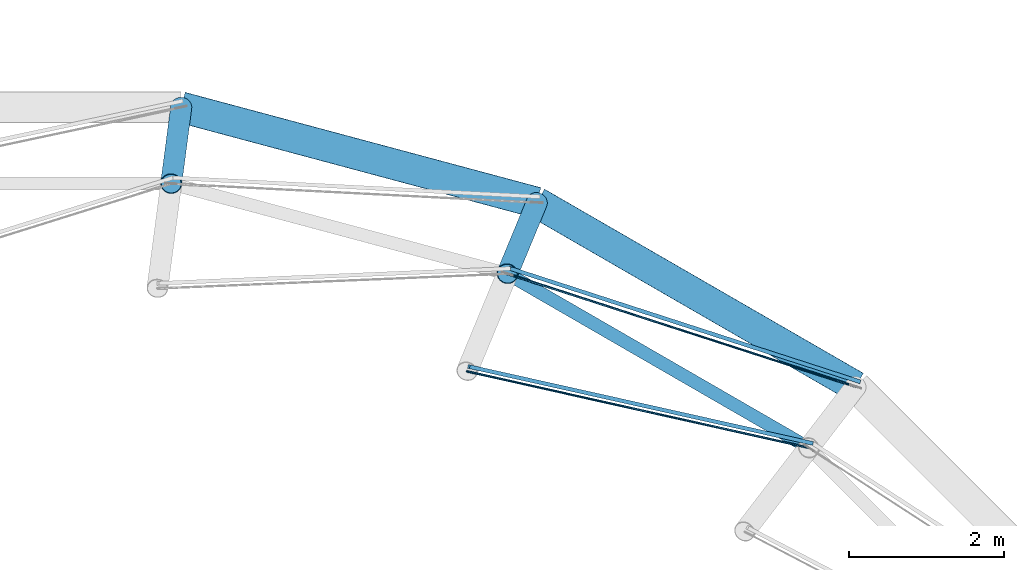
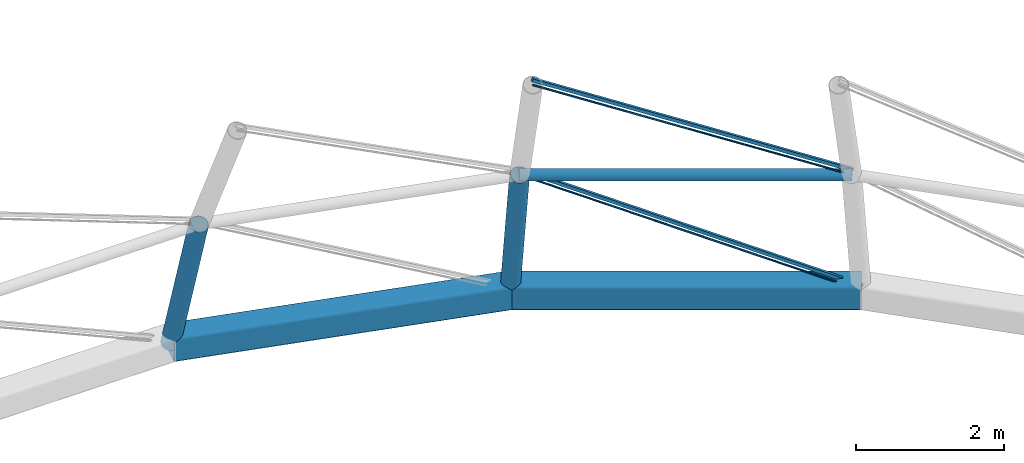
# One storey, part 11 of 59: 5 members, 4 beams.
"""IFC4 building model written with IfcOpenShell, lengths in metres."""

from ifc_helpers import new_model, si_unit, direction, frame, origin, origin_2d, place, context, subcontext, project, spatial, rectangle, hollow_rectangle, circle, hollow_circle, extrude, material, material_profile, profile_set, type_object, element, save


model = new_model("IFC4")

# Units and contexts
model_context = context("Model", 3, precision=1e-05, world=origin(), true_north=direction((0.0, 1.0)))
body_context = subcontext(model_context, "Body", "Model", "MODEL_VIEW")
ifc_project = project(units=[si_unit("LENGTHUNIT", "METRE"), si_unit("AREAUNIT", "SQUARE_METRE"), si_unit("VOLUMEUNIT", "CUBIC_METRE"), si_unit("PLANEANGLEUNIT", "RADIAN"), si_unit("MASSUNIT", "GRAM", prefix="KILO")], contexts=[model_context])

# Site, building, storey
site_placement = place(None, origin())
site = spatial("IfcSite", under=ifc_project, at=site_placement, CompositionType="ELEMENT")
building_placement = place(site_placement, origin())
building = spatial("IfcBuilding", under=site, at=building_placement, Name="Hortulan Conservatory and Botanical Research Centre", CompositionType="ELEMENT")
storey_placement = place(building_placement, frame((0.0, 0.0, 10.5)))
storey = spatial("IfcBuildingStorey", under=building, at=storey_placement, Name="L02", CompositionType="ELEMENT", Elevation=10.5)

# Members
ifc_material_1 = material(Name="Steel Grade 300PLUS (AS/NZS 3679.1, 280 MPa minimum yield)", Category="steel")
ifc_material_profile_1 = material_profile(ifc_material_1, circle(Radius=0.011962890625, at=origin_2d()), Name="24 dia rod")
ifc_profile_set_1 = profile_set([ifc_material_profile_1], Name="Steel Grade 300PLUS (AS/NZS 3679.1, 280 MPa minimum yield)")
member_type_1 = type_object("IfcMemberType", Name="Dome Diagonal Rod 24 dia rod", PredefinedType="BRACE", material=ifc_profile_set_1)
member_1_placement = place(storey_placement, frame((65.05224609375, 32.403564453125, 0.0), z_axis=(-0.833442729967, 0.27003961921, 0.482132575048), x_axis=(-0.308229827879, -0.95131192214, 0.0)))
element("IfcMember", 1, at=member_1_placement, inside=storey, type_object=member_type_1, Name="Dome diagonal rod row 1 panel 04", PredefinedType="BRACE", context=body_context, shape_type="SweptSolid", body=[
    extrude(circle(Radius=0.011962890625, at=origin_2d()), origin(), (0.0, 0.0, 1.0), 5.38037109375),
])
member_2_placement = place(storey_placement, frame((64.4482421875, 31.6162109375, 2.593994140625), z_axis=(-0.859816950102, 0.192130404694, 0.473075807784), x_axis=(-0.218076806986, -0.975931609415, 0.0)))
element("IfcMember", 2, at=member_2_placement, inside=storey, type_object=member_type_1, Name="Dome diagonal rod row 2 panel 04", PredefinedType="BRACE", context=body_context, shape_type="SweptSolid", body=[
    extrude(circle(Radius=0.011962890625, at=origin_2d()), origin(), (0.0, 0.0, 1.0), 5.118408203125),
])
ifc_material_2 = material(Name="Bronze-finished aluminium", Category="aluminium")
ifc_material_profile_2 = material_profile(ifc_material_2, rectangle(XDim=0.050048828125, YDim=0.050048828125, at=origin_2d()), Name="Square bar 50x50")
ifc_profile_set_2 = profile_set([ifc_material_profile_2], Name="Bronze-finished aluminium")
member_type_2 = type_object("IfcMemberType", Name="Dome Glazing Bar 50x50", PredefinedType="MEMBER", material=ifc_profile_set_2)
member_3_placement = place(storey_placement, frame((65.101318359375, 32.467529296875, 0.024169921875), z_axis=(-0.833428096674, 0.270054374867, 0.482149605713), x_axis=(-0.308249968004, -0.951305396403, 0.0)))
element("IfcMember", 3, at=member_3_placement, inside=storey, type_object=member_type_2, Name="Dome glazing bar row 1 panel 04", PredefinedType="MEMBER", context=body_context, shape_type="SweptSolid", body=[
    extrude(rectangle(XDim=0.050048828125, YDim=0.050048828125, at=origin_2d()), origin(), (0.0, 0.0, 1.0), 5.404296875),
])
member_4_placement = place(storey_placement, frame((64.492431640625, 31.673828125, 2.628173828125), z_axis=(-0.859832570914, 0.192134722647, 0.473045662012), x_axis=(-0.218077701447, -0.975931409542, 0.0)))
element("IfcMember", 4, at=member_4_placement, inside=storey, type_object=member_type_2, Name="Dome glazing bar row 2 panel 04", PredefinedType="MEMBER", context=body_context, shape_type="SweptSolid", body=[
    extrude(rectangle(XDim=0.050048828125, YDim=0.050048828125, at=origin_2d()), origin(), (0.0, 0.0, 1.0), 5.139892578125),
])

# Beams
ifc_material_3 = material(Name="Steel Grade C350L0 (350 MPa, AS/NZS 1163)", Category="steel")
ifc_material_profile_3 = material_profile(ifc_material_3, hollow_circle(Radius=0.136474609375, WallThickness=0.00927734375, at=origin_2d()), Name="273.1x9.3CHS")
ifc_profile_set_3 = profile_set([ifc_material_profile_3], Name="Steel Grade C350L0 (350 MPa, AS/NZS 1163)")
beam_type_1 = type_object("IfcBeamType", Name="Dome Rib 273.1x9.3 CHS", PredefinedType="BEAM", material=ifc_profile_set_3)
for number, where, z_axis, x_axis, name in (
    (5, (60.94775390625, 34.773193359375, 0.0), (-0.136693762642, -0.330086867344, 0.934000789754), (0.923911883582, -0.382605320631, 0.0), "Dome rib 05 segment 1"),
    (6, (56.36962890625, 36.0, 0.0), (-0.046589482013, -0.354255872662, 0.933987257328), (0.991462667241, -0.13039087187, 0.0), "Dome rib 06 segment 1"),
):
    element("IfcBeam", number, at=place(storey_placement, frame(where, z_axis=z_axis, x_axis=x_axis)), inside=storey, type_object=beam_type_1, Name=name, PredefinedType="BEAM", context=body_context, shape_type="SweptSolid", body=[
        extrude(hollow_circle(Radius=0.136474609375, WallThickness=0.00927734375, at=origin_2d()), origin(), (0.0, 0.0, 1.0), 2.77734375),
    ])

# Member
ifc_material_profile_4 = material_profile(ifc_material_3, hollow_circle(Radius=0.084228515625, WallThickness=0.00634765625, at=origin_2d()), Name="168.3x6.4CHS")
ifc_profile_set_4 = profile_set([ifc_material_profile_4], Name="Steel Grade C350L0 (350 MPa, AS/NZS 1163)")
member_type_3 = type_object("IfcMemberType", Name="Dome Ring 168.3x6.4 CHS", PredefinedType="PURLIN", material=ifc_profile_set_4)
member_5_placement = place(storey_placement, frame((64.4482421875, 31.6162109375, 2.593994140625), z_axis=(-0.866021341331, 0.500007036309, 0.0), x_axis=(-0.500007036309, -0.866021341331, 0.0)))
element("IfcMember", 7, at=member_5_placement, inside=storey, type_object=member_type_3, Name="Dome ring 1 chord 04", PredefinedType="PURLIN", context=body_context, shape_type="SweptSolid", body=[
    extrude(hollow_circle(Radius=0.084228515625, WallThickness=0.00634765625, at=origin_2d()), origin(), (0.0, 0.0, 1.0), 4.48046875),
])

# Beams
ifc_material_4 = material(Name="Steel Grade C450L0 (450 MPa, AS/NZS 1163)", Category="steel")
ifc_material_profile_5 = material_profile(ifc_material_4, hollow_rectangle(XDim=0.39990234375, YDim=0.39990234375, WallThickness=0.01611328125, InnerFilletRadius=0.02392578125, OuterFilletRadius=0.0400390625, at=origin_2d()), Name="400x400x16SHS")
ifc_profile_set_5 = profile_set([ifc_material_profile_5], Name="Steel Grade C450L0 (450 MPa, AS/NZS 1163)")
beam_type_2 = type_object("IfcBeamType", Name="Dome Ring Beam 400x400x16 SHS", PredefinedType="BEAM", material=ifc_profile_set_5)
beam_1_placement = place(storey_placement, frame((65.05224609375, 32.403564453125, 0.0), z_axis=(-0.866034609785, 0.4999840544, 0.0), x_axis=(-0.4999840544, -0.866034609785, 0.0)))
element("IfcBeam", 8, at=beam_1_placement, inside=storey, type_object=beam_type_2, Name="Dome ring beam chord 04", PredefinedType="BEAM", context=body_context, shape_type="SweptSolid", body=[
    extrude(hollow_rectangle(XDim=0.39990234375, YDim=0.39990234375, WallThickness=0.01611328125, InnerFilletRadius=0.02392578125, OuterFilletRadius=0.0400390625, at=origin_2d()), origin(), (0.0, 0.0, 1.0), 4.739501953125),
])
beam_2_placement = place(storey_placement, frame((60.94775390625, 34.773193359375, 0.0), z_axis=(-0.965920459439, 0.258839073629, 0.0), x_axis=(-0.258839073629, -0.965920459439, 0.0)))
element("IfcBeam", 9, at=beam_2_placement, inside=storey, type_object=beam_type_2, Name="Dome ring beam chord 05", PredefinedType="BEAM", context=body_context, shape_type="SweptSolid", body=[
    extrude(hollow_rectangle(XDim=0.39990234375, YDim=0.39990234375, WallThickness=0.01611328125, InnerFilletRadius=0.02392578125, OuterFilletRadius=0.0400390625, at=origin_2d()), origin(), (0.0, 0.0, 1.0), 4.73974609375),
])

save(model, "model.ifc")
